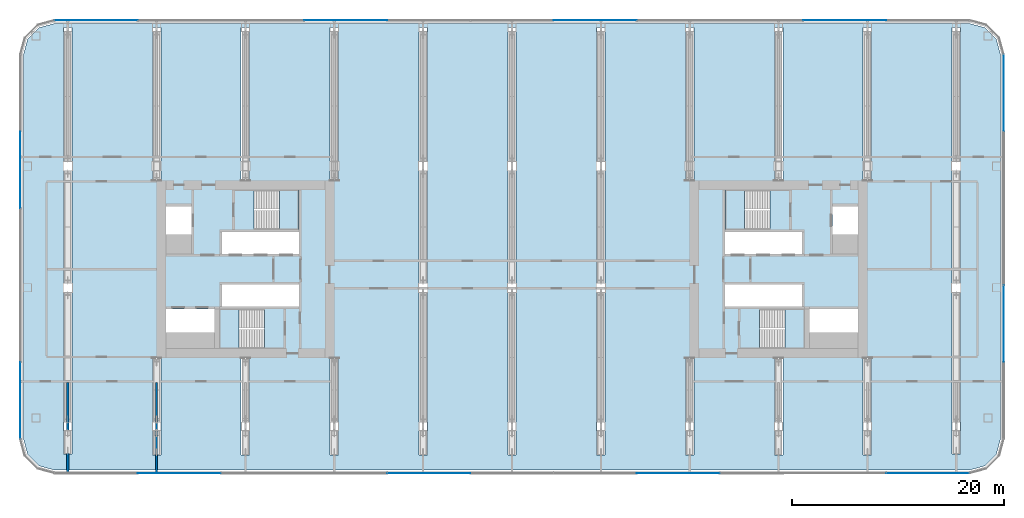
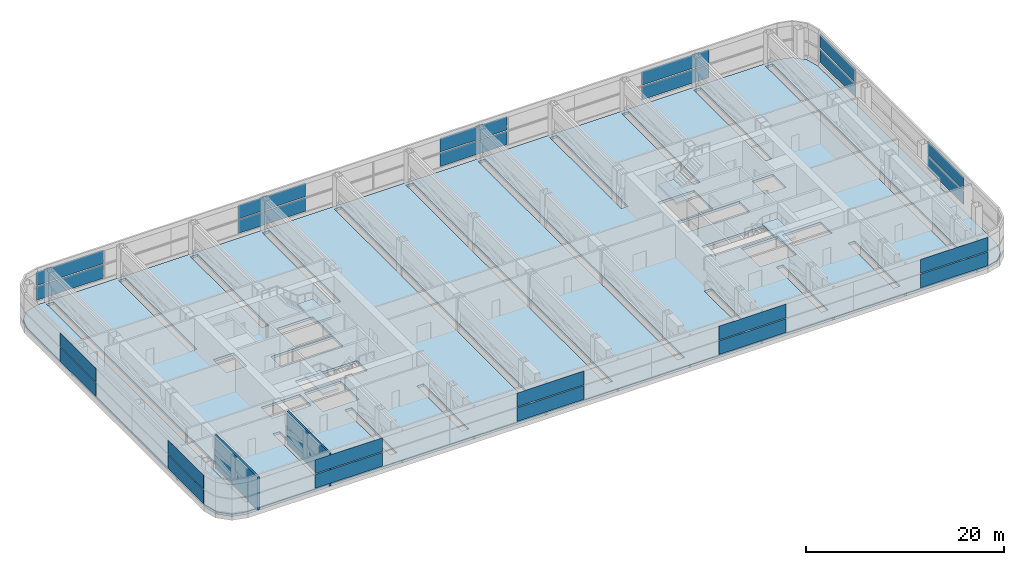
# One storey, part 17 of 31: 24 plates, 5 slabs, 2 walls, 8 elements without a shape of their own.
"""IFC4 building model written with IfcOpenShell, lengths in metres."""

from ifc_helpers import new_model, si_unit, direction, frame, frame_2d, origin, origin_2d, place, context, subcontext, project, spatial, polyline, rectangle, outline, extrude, material, layer, layer_set, type_object, element, aggregate, save


model = new_model("IFC4")

# Units and contexts
model_context = context("Model", 3, precision=1e-05, world=origin(), true_north=direction((0.0, 1.0)))
body_context = subcontext(model_context, "Body", "Model", "MODEL_VIEW")
ifc_project = project(units=[si_unit("LENGTHUNIT", "METRE"), si_unit("AREAUNIT", "SQUARE_METRE"), si_unit("VOLUMEUNIT", "CUBIC_METRE"), si_unit("PLANEANGLEUNIT", "RADIAN"), si_unit("MASSUNIT", "GRAM", prefix="KILO")], contexts=[model_context])

# Site, building, storey
site_placement = place(None, origin())
site = spatial("IfcSite", under=ifc_project, at=site_placement, CompositionType="ELEMENT")
building_placement = place(site_placement, origin())
building = spatial("IfcBuilding", under=site, at=building_placement, Name="Hakoniwa Tower and Hamabe Station Hall", CompositionType="ELEMENT")
storey_placement = place(building_placement, frame((0.0, 0.0, 120.199951171875)))
storey = spatial("IfcBuildingStorey", under=building, at=storey_placement, Name="L34", CompositionType="ELEMENT", Elevation=120.199951171875)

# Stair, slab
ifc_material_1 = material(Name="Concrete C40", Category="concrete")
stair_type = type_object("IfcStairType", Name="ESCAPE STAIR 1800", PredefinedType="HALF_TURN_STAIR", material=ifc_material_1)
stair_1_placement = place(storey_placement, origin())
stair_1 = element("IfcStair", 1, at=stair_1_placement, inside=storey, type_object=stair_type, Name="Escape stair ST-1 L34", PredefinedType="HALF_TURN_STAIR")
ifc_material_2 = material(Name="Concrete C40", Category="concrete")
ifc_layer_1 = layer(ifc_material_2, 0.25)
ifc_layer_set_1 = layer_set([ifc_layer_1], Name="CORE STAIR LANDING 250")
slab_type_1 = type_object("IfcSlabType", Name="CORE STAIR LANDING 250", PredefinedType="LANDING", material=ifc_layer_set_1)
slab_1_placement = place(storey_placement, frame((0.0, 0.0, 1.949951171875)))
slab_1 = element("IfcSlab", 2, at=slab_1_placement, type_object=slab_type_1, Name="ST-1 landing 1", PredefinedType="LANDING", context=body_context, shape_type="SweptSolid", body=[
    extrude(outline(polyline([(-22.0, 3.75), (-20.14990234375, 3.75), (-20.14990234375, 7.5), (-22.0, 7.5), (-22.0, 3.75)])), origin(), (0.0, 0.0, 1.0), 0.25),
])
aggregate(stair_1, [slab_1])

stair_2_placement = place(storey_placement, origin())
stair_2 = element("IfcStair", 3, at=stair_2_placement, inside=storey, type_object=stair_type, Name="Escape stair ST-2 L34", PredefinedType="HALF_TURN_STAIR")
slab_2_placement = place(storey_placement, frame((0.0, 0.0, 1.949951171875)))
slab_2 = element("IfcSlab", 4, at=slab_2_placement, type_object=slab_type_1, Name="ST-2 landing 1", PredefinedType="LANDING", context=body_context, shape_type="SweptSolid", body=[
    extrude(outline(polyline([(-25.800048828125, -7.5), (-27.64990234375, -7.5), (-27.64990234375, -3.75), (-25.800048828125, -3.75), (-25.800048828125, -7.5)])), origin(), (0.0, 0.0, 1.0), 0.25),
])
aggregate(stair_2, [slab_2])

stair_3_placement = place(storey_placement, origin())
stair_3 = element("IfcStair", 5, at=stair_3_placement, inside=storey, type_object=stair_type, Name="Escape stair ST-3 L34", PredefinedType="HALF_TURN_STAIR")
slab_3_placement = place(storey_placement, frame((0.0, 0.0, 1.949951171875)))
slab_3 = element("IfcSlab", 6, at=slab_3_placement, type_object=slab_type_1, Name="ST-3 landing 1", PredefinedType="LANDING", context=body_context, shape_type="SweptSolid", body=[
    extrude(outline(polyline([(22.0, 3.75), (20.14990234375, 3.75), (20.14990234375, 7.5), (22.0, 7.5), (22.0, 3.75)])), origin(), (0.0, 0.0, 1.0), 0.25),
])
aggregate(stair_3, [slab_3])

stair_4_placement = place(storey_placement, origin())
stair_4 = element("IfcStair", 7, at=stair_4_placement, inside=storey, type_object=stair_type, Name="Escape stair ST-4 L34", PredefinedType="HALF_TURN_STAIR")
slab_4_placement = place(storey_placement, frame((0.0, 0.0, 1.949951171875)))
slab_4 = element("IfcSlab", 8, at=slab_4_placement, type_object=slab_type_1, Name="ST-4 landing 1", PredefinedType="LANDING", context=body_context, shape_type="SweptSolid", body=[
    extrude(outline(polyline([(25.800048828125, -7.5), (27.64990234375, -7.5), (27.64990234375, -3.75), (25.800048828125, -3.75), (25.800048828125, -7.5)])), origin(), (0.0, 0.0, 1.0), 0.25),
])
aggregate(stair_4, [slab_4])

# Curtain wall, plates
ifc_material_3 = material(Name="Dark low-e laminated glass", Category="glass")
ifc_layer_2 = layer(ifc_material_3, 0.199951171875)
ifc_layer_set_2 = layer_set([ifc_layer_2], Name="CW-6 PLANT LOUVRE")
curtain_wall_type = type_object("IfcCurtainWallType", Name="CW-6 PLANT LOUVRE", PredefinedType="NOTDEFINED", material=ifc_layer_set_2)
curtain_wall_1_placement = place(storey_placement, origin())
curtain_wall_1 = element("IfcCurtainWall", 9, at=curtain_wall_1_placement, inside=storey, type_object=curtain_wall_type, Name="CW-6 curtain wall", PredefinedType="NOTDEFINED")
ifc_material_4 = material(Name="Dark low-e laminated glass", Category="glass")
ifc_layer_3 = layer(ifc_material_4, 0.028076171875)
ifc_layer_set_3 = layer_set([ifc_layer_3], Name="CW-1 GLASS UNIT")
plate_type = type_object("IfcPlateType", Name="CW-1 GLASS UNIT", PredefinedType="CURTAIN_PANEL", material=ifc_layer_set_3)
plate_1_placement = place(storey_placement, frame((46.486083984375, -5.140869140625, 0.35009765625), z_axis=(0.0, 0.0, 1.0), x_axis=(0.0, 1.0, 0.0)))
plate_1 = element("IfcPlate", 10, at=plate_1_placement, type_object=plate_type, Name="CW-6 glass unit", PredefinedType="CURTAIN_PANEL", context=body_context, shape_type="SweptSolid", body=[
    extrude(rectangle(XDim=7.245849609375, YDim=0.028076171875, at=origin_2d()), origin(), (0.0, 0.0, 1.0), 1.68994140625),
])
plate_2_placement = place(storey_placement, frame((46.486083984375, -5.140869140625, 2.16015625), z_axis=(0.0, 0.0, 1.0), x_axis=(0.0, 1.0, 0.0)))
plate_2 = element("IfcPlate", 11, at=plate_2_placement, type_object=plate_type, Name="CW-6 glass unit", PredefinedType="CURTAIN_PANEL", context=body_context, shape_type="SweptSolid", body=[
    extrude(rectangle(XDim=7.245849609375, YDim=0.028076171875, at=origin_2d()), origin(), (0.0, 0.0, 1.0), 1.68994140625),
])
plate_3_placement = place(storey_placement, frame((46.486083984375, 16.656494140625, 0.35009765625), z_axis=(0.0, 0.0, 1.0), x_axis=(0.0, 1.0, 0.0)))
plate_3 = element("IfcPlate", 12, at=plate_3_placement, type_object=plate_type, Name="CW-6 glass unit", PredefinedType="CURTAIN_PANEL", context=body_context, shape_type="SweptSolid", body=[
    extrude(rectangle(XDim=7.245849609375, YDim=0.028076171875, at=origin_2d()), origin(), (0.0, 0.0, 1.0), 1.68994140625),
])
plate_4_placement = place(storey_placement, frame((46.486083984375, 16.656494140625, 2.16015625), z_axis=(0.0, 0.0, 1.0), x_axis=(0.0, 1.0, 0.0)))
plate_4 = element("IfcPlate", 13, at=plate_4_placement, type_object=plate_type, Name="CW-6 glass unit", PredefinedType="CURTAIN_PANEL", context=body_context, shape_type="SweptSolid", body=[
    extrude(rectangle(XDim=7.245849609375, YDim=0.028076171875, at=origin_2d()), origin(), (0.0, 0.0, 1.0), 1.68994140625),
])
aggregate(curtain_wall_1, [plate_1, plate_2, plate_3, plate_4])

curtain_wall_2_placement = place(storey_placement, origin())
curtain_wall_2 = element("IfcCurtainWall", 14, at=curtain_wall_2_placement, inside=storey, type_object=curtain_wall_type, Name="CW-6 curtain wall", PredefinedType="NOTDEFINED")
plate_5_placement = place(storey_placement, frame((31.447021484375, 23.535888671875, 0.35009765625), z_axis=(0.0, 0.0, 1.0), x_axis=(-1.0, 0.0, 0.0)))
plate_5 = element("IfcPlate", 15, at=plate_5_placement, type_object=plate_type, Name="CW-6 glass unit", PredefinedType="CURTAIN_PANEL", context=body_context, shape_type="SweptSolid", body=[
    extrude(rectangle(XDim=7.841796875, YDim=0.028076171875, at=origin_2d()), origin(), (0.0, 0.0, 1.0), 1.68994140625),
])
plate_6_placement = place(storey_placement, frame((31.447021484375, 23.535888671875, 2.16015625), z_axis=(0.0, 0.0, 1.0), x_axis=(-1.0, 0.0, 0.0)))
plate_6 = element("IfcPlate", 16, at=plate_6_placement, type_object=plate_type, Name="CW-6 glass unit", PredefinedType="CURTAIN_PANEL", context=body_context, shape_type="SweptSolid", body=[
    extrude(rectangle(XDim=7.841796875, YDim=0.028076171875, at=origin_2d()), origin(), (0.0, 0.0, 1.0), 1.68994140625),
])
plate_7_placement = place(storey_placement, frame((7.86181640625, 23.535888671875, 0.35009765625), z_axis=(0.0, 0.0, 1.0), x_axis=(-1.0, 0.0, 0.0)))
plate_7 = element("IfcPlate", 17, at=plate_7_placement, type_object=plate_type, Name="CW-6 glass unit", PredefinedType="CURTAIN_PANEL", context=body_context, shape_type="SweptSolid", body=[
    extrude(rectangle(XDim=7.841796875, YDim=0.028076171875, at=origin_2d()), origin(), (0.0, 0.0, 1.0), 1.68994140625),
])
plate_8_placement = place(storey_placement, frame((7.86181640625, 23.535888671875, 2.16015625), z_axis=(0.0, 0.0, 1.0), x_axis=(-1.0, 0.0, 0.0)))
plate_8 = element("IfcPlate", 18, at=plate_8_placement, type_object=plate_type, Name="CW-6 glass unit", PredefinedType="CURTAIN_PANEL", context=body_context, shape_type="SweptSolid", body=[
    extrude(rectangle(XDim=7.841796875, YDim=0.028076171875, at=origin_2d()), origin(), (0.0, 0.0, 1.0), 1.68994140625),
])
plate_9_placement = place(storey_placement, frame((-15.723388671875, 23.535888671875, 0.35009765625), z_axis=(0.0, 0.0, 1.0), x_axis=(-1.0, 0.0, 0.0)))
plate_9 = element("IfcPlate", 19, at=plate_9_placement, type_object=plate_type, Name="CW-6 glass unit", PredefinedType="CURTAIN_PANEL", context=body_context, shape_type="SweptSolid", body=[
    extrude(rectangle(XDim=7.841796875, YDim=0.028076171875, at=origin_2d()), origin(), (0.0, 0.0, 1.0), 1.68994140625),
])
plate_10_placement = place(storey_placement, frame((-15.723388671875, 23.535888671875, 2.16015625), z_axis=(0.0, 0.0, 1.0), x_axis=(-1.0, 0.0, 0.0)))
plate_10 = element("IfcPlate", 20, at=plate_10_placement, type_object=plate_type, Name="CW-6 glass unit", PredefinedType="CURTAIN_PANEL", context=body_context, shape_type="SweptSolid", body=[
    extrude(rectangle(XDim=7.841796875, YDim=0.028076171875, at=origin_2d()), origin(), (0.0, 0.0, 1.0), 1.68994140625),
])
plate_11_placement = place(storey_placement, frame((-39.30859375, 23.535888671875, 0.35009765625), z_axis=(0.0, 0.0, 1.0), x_axis=(-1.0, 0.0, 0.0)))
plate_11 = element("IfcPlate", 21, at=plate_11_placement, type_object=plate_type, Name="CW-6 glass unit", PredefinedType="CURTAIN_PANEL", context=body_context, shape_type="SweptSolid", body=[
    extrude(rectangle(XDim=7.841796875, YDim=0.028076171875, at=origin_2d()), origin(), (0.0, 0.0, 1.0), 1.68994140625),
])
plate_12_placement = place(storey_placement, frame((-39.30859375, 23.535888671875, 2.16015625), z_axis=(0.0, 0.0, 1.0), x_axis=(-1.0, 0.0, 0.0)))
plate_12 = element("IfcPlate", 22, at=plate_12_placement, type_object=plate_type, Name="CW-6 glass unit", PredefinedType="CURTAIN_PANEL", context=body_context, shape_type="SweptSolid", body=[
    extrude(rectangle(XDim=7.841796875, YDim=0.028076171875, at=origin_2d()), origin(), (0.0, 0.0, 1.0), 1.68994140625),
])
aggregate(curtain_wall_2, [plate_5, plate_6, plate_7, plate_8, plate_9, plate_10, plate_11, plate_12])

curtain_wall_3_placement = place(storey_placement, origin())
curtain_wall_3 = element("IfcCurtainWall", 23, at=curtain_wall_3_placement, inside=storey, type_object=curtain_wall_type, Name="CW-6 curtain wall", PredefinedType="NOTDEFINED")
plate_13_placement = place(storey_placement, frame((-46.486083984375, 9.390869140625, 0.35009765625), z_axis=(0.0, 0.0, 1.0), x_axis=(0.0, -1.0, 0.0)))
plate_13 = element("IfcPlate", 24, at=plate_13_placement, type_object=plate_type, Name="CW-6 glass unit", PredefinedType="CURTAIN_PANEL", context=body_context, shape_type="SweptSolid", body=[
    extrude(rectangle(XDim=7.245849609375, YDim=0.028076171875, at=origin_2d()), origin(), (0.0, 0.0, 1.0), 1.68994140625),
])
plate_14_placement = place(storey_placement, frame((-46.486083984375, 9.390869140625, 2.16015625), z_axis=(0.0, 0.0, 1.0), x_axis=(0.0, -1.0, 0.0)))
plate_14 = element("IfcPlate", 25, at=plate_14_placement, type_object=plate_type, Name="CW-6 glass unit", PredefinedType="CURTAIN_PANEL", context=body_context, shape_type="SweptSolid", body=[
    extrude(rectangle(XDim=7.245849609375, YDim=0.028076171875, at=origin_2d()), origin(), (0.0, 0.0, 1.0), 1.68994140625),
])
plate_15_placement = place(storey_placement, frame((-46.486083984375, -12.406494140625, 0.35009765625), z_axis=(0.0, 0.0, 1.0), x_axis=(0.0, -1.0, 0.0)))
plate_15 = element("IfcPlate", 26, at=plate_15_placement, type_object=plate_type, Name="CW-6 glass unit", PredefinedType="CURTAIN_PANEL", context=body_context, shape_type="SweptSolid", body=[
    extrude(rectangle(XDim=7.245849609375, YDim=0.028076171875, at=origin_2d()), origin(), (0.0, 0.0, 1.0), 1.68994140625),
])
plate_16_placement = place(storey_placement, frame((-46.486083984375, -12.406494140625, 2.16015625), z_axis=(0.0, 0.0, 1.0), x_axis=(0.0, -1.0, 0.0)))
plate_16 = element("IfcPlate", 27, at=plate_16_placement, type_object=plate_type, Name="CW-6 glass unit", PredefinedType="CURTAIN_PANEL", context=body_context, shape_type="SweptSolid", body=[
    extrude(rectangle(XDim=7.245849609375, YDim=0.028076171875, at=origin_2d()), origin(), (0.0, 0.0, 1.0), 1.68994140625),
])
aggregate(curtain_wall_3, [plate_13, plate_14, plate_15, plate_16])

curtain_wall_4_placement = place(storey_placement, origin())
curtain_wall_4 = element("IfcCurtainWall", 28, at=curtain_wall_4_placement, inside=storey, type_object=curtain_wall_type, Name="CW-6 curtain wall", PredefinedType="NOTDEFINED")
plate_17_placement = place(storey_placement, frame((-31.447021484375, -19.285888671875, 0.35009765625), z_axis=(0.0, 0.0, 1.0), x_axis=(1.0, 0.0, 0.0)))
plate_17 = element("IfcPlate", 29, at=plate_17_placement, type_object=plate_type, Name="CW-6 glass unit", PredefinedType="CURTAIN_PANEL", context=body_context, shape_type="SweptSolid", body=[
    extrude(rectangle(XDim=7.841796875, YDim=0.028076171875, at=origin_2d()), origin(), (0.0, 0.0, 1.0), 1.68994140625),
])
plate_18_placement = place(storey_placement, frame((-31.447021484375, -19.285888671875, 2.16015625), z_axis=(0.0, 0.0, 1.0), x_axis=(1.0, 0.0, 0.0)))
plate_18 = element("IfcPlate", 30, at=plate_18_placement, type_object=plate_type, Name="CW-6 glass unit", PredefinedType="CURTAIN_PANEL", context=body_context, shape_type="SweptSolid", body=[
    extrude(rectangle(XDim=7.841796875, YDim=0.028076171875, at=origin_2d()), origin(), (0.0, 0.0, 1.0), 1.68994140625),
])
plate_19_placement = place(storey_placement, frame((-7.86181640625, -19.285888671875, 0.35009765625), z_axis=(0.0, 0.0, 1.0), x_axis=(1.0, 0.0, 0.0)))
plate_19 = element("IfcPlate", 31, at=plate_19_placement, type_object=plate_type, Name="CW-6 glass unit", PredefinedType="CURTAIN_PANEL", context=body_context, shape_type="SweptSolid", body=[
    extrude(rectangle(XDim=7.841796875, YDim=0.028076171875, at=origin_2d()), origin(), (0.0, 0.0, 1.0), 1.68994140625),
])
plate_20_placement = place(storey_placement, frame((-7.86181640625, -19.285888671875, 2.16015625), z_axis=(0.0, 0.0, 1.0), x_axis=(1.0, 0.0, 0.0)))
plate_20 = element("IfcPlate", 32, at=plate_20_placement, type_object=plate_type, Name="CW-6 glass unit", PredefinedType="CURTAIN_PANEL", context=body_context, shape_type="SweptSolid", body=[
    extrude(rectangle(XDim=7.841796875, YDim=0.028076171875, at=origin_2d()), origin(), (0.0, 0.0, 1.0), 1.68994140625),
])
plate_21_placement = place(storey_placement, frame((15.723388671875, -19.285888671875, 0.35009765625), z_axis=(0.0, 0.0, 1.0), x_axis=(1.0, 0.0, 0.0)))
plate_21 = element("IfcPlate", 33, at=plate_21_placement, type_object=plate_type, Name="CW-6 glass unit", PredefinedType="CURTAIN_PANEL", context=body_context, shape_type="SweptSolid", body=[
    extrude(rectangle(XDim=7.841796875, YDim=0.028076171875, at=origin_2d()), origin(), (0.0, 0.0, 1.0), 1.68994140625),
])
plate_22_placement = place(storey_placement, frame((15.723388671875, -19.285888671875, 2.16015625), z_axis=(0.0, 0.0, 1.0), x_axis=(1.0, 0.0, 0.0)))
plate_22 = element("IfcPlate", 34, at=plate_22_placement, type_object=plate_type, Name="CW-6 glass unit", PredefinedType="CURTAIN_PANEL", context=body_context, shape_type="SweptSolid", body=[
    extrude(rectangle(XDim=7.841796875, YDim=0.028076171875, at=origin_2d()), origin(), (0.0, 0.0, 1.0), 1.68994140625),
])
plate_23_placement = place(storey_placement, frame((39.30859375, -19.285888671875, 0.35009765625), z_axis=(0.0, 0.0, 1.0), x_axis=(1.0, 0.0, 0.0)))
plate_23 = element("IfcPlate", 35, at=plate_23_placement, type_object=plate_type, Name="CW-6 glass unit", PredefinedType="CURTAIN_PANEL", context=body_context, shape_type="SweptSolid", body=[
    extrude(rectangle(XDim=7.841796875, YDim=0.028076171875, at=origin_2d()), origin(), (0.0, 0.0, 1.0), 1.68994140625),
])
plate_24_placement = place(storey_placement, frame((39.30859375, -19.285888671875, 2.16015625), z_axis=(0.0, 0.0, 1.0), x_axis=(1.0, 0.0, 0.0)))
plate_24 = element("IfcPlate", 36, at=plate_24_placement, type_object=plate_type, Name="CW-6 glass unit", PredefinedType="CURTAIN_PANEL", context=body_context, shape_type="SweptSolid", body=[
    extrude(rectangle(XDim=7.841796875, YDim=0.028076171875, at=origin_2d()), origin(), (0.0, 0.0, 1.0), 1.68994140625),
])
aggregate(curtain_wall_4, [plate_17, plate_18, plate_19, plate_20, plate_21, plate_22, plate_23, plate_24])

# Slab
ifc_material_5 = material(Name="Concrete C40", Category="concrete")
ifc_layer_4 = layer(ifc_material_5, 0.300048828125)
ifc_layer_set_4 = layer_set([ifc_layer_4], Name="TRANSFER FLOOR SLAB 300")
slab_type_2 = type_object("IfcSlabType", Name="TRANSFER FLOOR SLAB 300", PredefinedType="FLOOR", material=ifc_layer_set_4)
slab_5_placement = place(storey_placement, frame((0.0, 0.0, -0.300048828125)))
element("IfcSlab", 37, at=slab_5_placement, inside=storey, type_object=slab_type_2, Name="Floor slab L34", PredefinedType="FLOOR", context=body_context, shape_type="SweptSolid", body=[
    extrude(outline(polyline([(46.199951171875, -16.0), (46.199951171875, 20.25), (45.798095703125, 21.75), (44.699951171875, 22.84814453125), (43.199951171875, 23.25), (-43.199951171875, 23.25), (-44.699951171875, 22.84814453125), (-45.798095703125, 21.75), (-46.199951171875, 20.25), (-46.199951171875, -16.0), (-45.798095703125, -17.5), (-44.699951171875, -18.59814453125), (-43.199951171875, -19.0), (43.199951171875, -19.0), (44.699951171875, -18.59814453125), (45.798095703125, -17.5), (46.199951171875, -16.0)]), holes=[polyline([(-27.39990234375, 1.449951171875), (-27.39990234375, 3.5), (-20.14990234375, 3.5), (-20.14990234375, 1.449951171875), (-27.39990234375, 1.449951171875)]), polyline([(-27.39990234375, -3.5), (-27.39990234375, -1.449951171875), (-20.14990234375, -1.449951171875), (-20.14990234375, -3.5), (-27.39990234375, -3.5)]), polyline([(-32.699951171875, 3.300048828125), (-32.699951171875, 5.949951171875), (-30.300048828125, 5.949951171875), (-30.300048828125, 3.300048828125), (-32.699951171875, 3.300048828125)]), polyline([(-32.699951171875, -6.0), (-32.699951171875, -3.75), (-28.14990234375, -3.75), (-28.14990234375, -6.0), (-32.699951171875, -6.0)]), polyline([(-24.389892578125, 3.75), (-24.389892578125, 7.5), (-20.14990234375, 7.5), (-20.14990234375, 3.75), (-24.389892578125, 3.75)]), polyline([(-27.64990234375, -7.5), (-27.64990234375, -3.75), (-23.409912109375, -3.75), (-23.409912109375, -7.5), (-27.64990234375, -7.5)]), polyline([(20.14990234375, 1.449951171875), (20.14990234375, 3.5), (27.39990234375, 3.5), (27.39990234375, 1.449951171875), (20.14990234375, 1.449951171875)]), polyline([(20.14990234375, -3.5), (20.14990234375, -1.449951171875), (27.39990234375, -1.449951171875), (27.39990234375, -3.5), (20.14990234375, -3.5)]), polyline([(30.300048828125, 3.300048828125), (30.300048828125, 5.949951171875), (32.699951171875, 5.949951171875), (32.699951171875, 3.300048828125), (30.300048828125, 3.300048828125)]), polyline([(28.14990234375, -6.0), (28.14990234375, -3.75), (32.699951171875, -3.75), (32.699951171875, -6.0), (28.14990234375, -6.0)]), polyline([(20.14990234375, 3.75), (20.14990234375, 7.5), (24.389892578125, 7.5), (24.389892578125, 3.75), (20.14990234375, 3.75)]), polyline([(23.409912109375, -7.5), (23.409912109375, -3.75), (27.64990234375, -3.75), (27.64990234375, -7.5), (23.409912109375, -7.5)]), polyline([(-34.0, -17.550048828125), (-34.0, -8.39990234375), (-33.199951171875, -8.39990234375), (-33.199951171875, -17.550048828125), (-34.0, -17.550048828125)]), polyline([(-25.60009765625, -17.550048828125), (-25.60009765625, -8.39990234375), (-24.800048828125, -8.39990234375), (-24.800048828125, -17.550048828125), (-25.60009765625, -17.550048828125)]), polyline([(-17.199951171875, -17.550048828125), (-17.199951171875, -8.39990234375), (-16.39990234375, -8.39990234375), (-16.39990234375, -17.550048828125), (-17.199951171875, -17.550048828125)]), polyline([(-8.800048828125, -17.550048828125), (-8.800048828125, 22.85009765625), (-8.0, 22.85009765625), (-8.0, -17.550048828125), (-8.800048828125, -17.550048828125)]), polyline([(-0.39990234375, -17.550048828125), (-0.39990234375, 22.85009765625), (0.39990234375, 22.85009765625), (0.39990234375, -17.550048828125), (-0.39990234375, -17.550048828125)]), polyline([(-42.39990234375, -17.444091796875), (-42.39990234375, 22.85009765625), (-41.60009765625, 22.85009765625), (-41.60009765625, -17.444091796875), (-42.39990234375, -17.444091796875)]), polyline([(-34.0, 8.39990234375), (-34.0, 22.85009765625), (-33.199951171875, 22.85009765625), (-33.199951171875, 8.39990234375), (-34.0, 8.39990234375)]), polyline([(-25.60009765625, 8.39990234375), (-25.60009765625, 22.85009765625), (-24.800048828125, 22.85009765625), (-24.800048828125, 8.39990234375), (-25.60009765625, 8.39990234375)]), polyline([(-17.199951171875, 8.39990234375), (-17.199951171875, 22.85009765625), (-16.39990234375, 22.85009765625), (-16.39990234375, 8.39990234375), (-17.199951171875, 8.39990234375)]), polyline([(16.39990234375, -17.550048828125), (16.39990234375, -8.39990234375), (17.199951171875, -8.39990234375), (17.199951171875, -17.550048828125), (16.39990234375, -17.550048828125)]), polyline([(24.800048828125, -17.550048828125), (24.800048828125, -8.39990234375), (25.60009765625, -8.39990234375), (25.60009765625, -17.550048828125), (24.800048828125, -17.550048828125)]), polyline([(33.199951171875, -17.550048828125), (33.199951171875, -8.39990234375), (34.0, -8.39990234375), (34.0, -17.550048828125), (33.199951171875, -17.550048828125)]), polyline([(8.0, -17.550048828125), (8.0, 22.85009765625), (8.800048828125, 22.85009765625), (8.800048828125, -17.550048828125), (8.0, -17.550048828125)]), polyline([(41.60009765625, -17.444091796875), (41.60009765625, 22.85009765625), (42.39990234375, 22.85009765625), (42.39990234375, -17.444091796875), (41.60009765625, -17.444091796875)]), polyline([(16.39990234375, 8.39990234375), (16.39990234375, 22.85009765625), (17.199951171875, 22.85009765625), (17.199951171875, 8.39990234375), (16.39990234375, 8.39990234375)]), polyline([(24.800048828125, 22.85009765625), (25.60009765625, 22.85009765625), (25.60009765625, 8.39990234375), (24.800048828125, 8.39990234375), (24.800048828125, 22.85009765625)]), polyline([(33.199951171875, 22.85009765625), (34.0, 22.85009765625), (34.0, 8.39990234375), (33.199951171875, 8.39990234375), (33.199951171875, 22.85009765625)])]), origin(), (0.0, 0.0, 1.0), 0.300048828125),
])

# Walls
ifc_material_6 = material(Name="Fire-rated gypsum board partition", Category="gypsum")
ifc_layer_5 = layer(ifc_material_6, 0.199951171875)
ifc_layer_set_5 = layer_set([ifc_layer_5], Name="Party Wall 200")
wall_type = type_object("IfcWallType", Name="Party Wall 200", PredefinedType="PARTITIONING", material=ifc_layer_set_5)
for number, where, z_axis, x_axis, name in (
    (38, (-42.0, -19.300048828125, 0.0), (0.0, 0.0, 1.0), (0.0, 1.0, 0.0), "GW-L34-014"),
    (39, (-33.60009765625, -19.300048828125, 0.0), (0.0, 0.0, 1.0), (0.0, 1.0, 0.0), "GW-L34-016"),
):
    element("IfcWall", number, at=place(storey_placement, frame(where, z_axis=z_axis, x_axis=x_axis)), inside=storey, type_object=wall_type, Name=name, PredefinedType="PARTITIONING", context=body_context, shape_type="SweptSolid", body=[
        extrude(rectangle(XDim=8.60009765625, YDim=0.199951171875, at=frame_2d((4.300048828125, 0.0))), origin(), (0.0, 0.0, 1.0), 4.10009765625),
    ])

save(model, "model.ifc")
